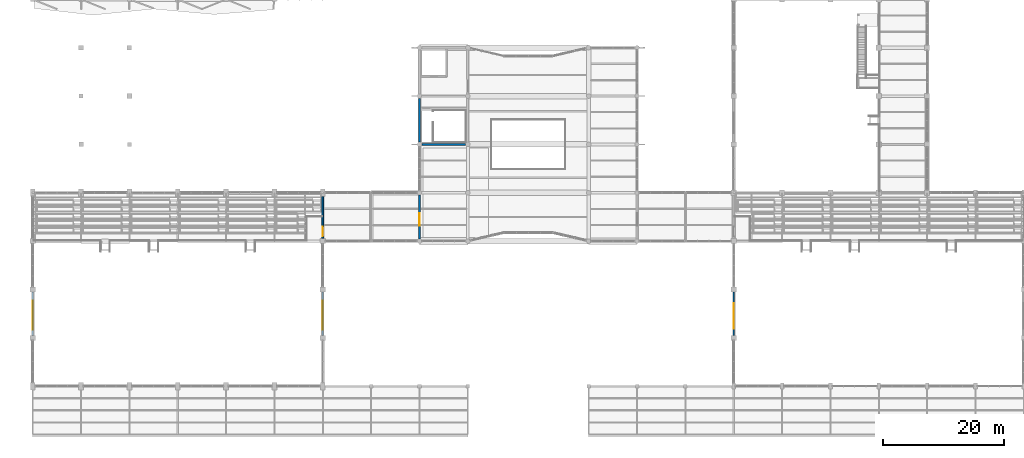
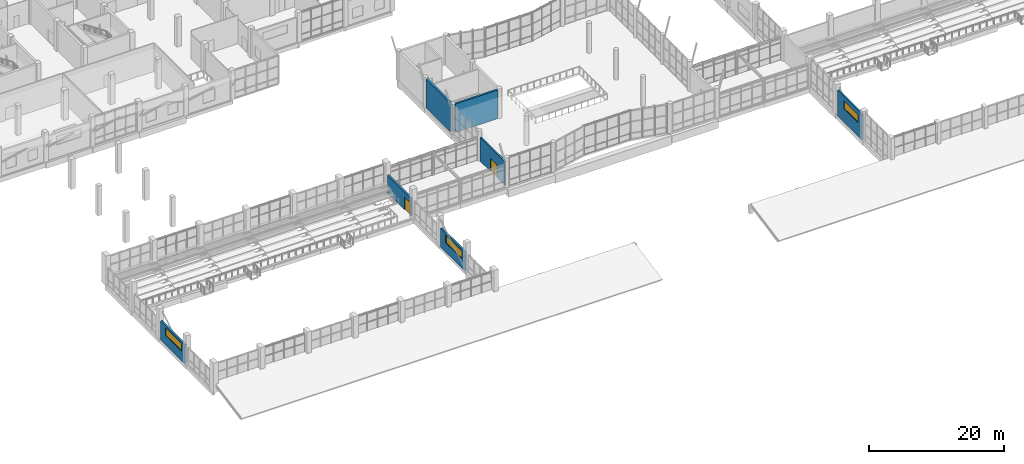
# One storey, part 104 of 122: 7 walls, 3 windows, 2 doors, 5 openings.
"""IFC4 building model written with IfcOpenShell, lengths in metres."""

from ifc_helpers import new_model, si_unit, direction, frame, frame_2d, origin, place, context, subcontext, project, spatial, rectangle, extrude, material, layer, layer_set, type_object, element, fill, save


model = new_model("IFC4")

# Units and contexts
model_context = context("Model", 3, precision=1e-05, world=origin(), true_north=direction((0.0, 1.0)))
body_context = subcontext(model_context, "Body", "Model", "MODEL_VIEW")
ifc_project = project(units=[si_unit("LENGTHUNIT", "METRE"), si_unit("AREAUNIT", "SQUARE_METRE"), si_unit("VOLUMEUNIT", "CUBIC_METRE"), si_unit("PLANEANGLEUNIT", "RADIAN"), si_unit("MASSUNIT", "GRAM", prefix="KILO")], contexts=[model_context])

# Site, building, storey
site_placement = place(None, origin())
site = spatial("IfcSite", under=ifc_project, at=site_placement, CompositionType="ELEMENT")
building_placement = place(site_placement, origin())
building = spatial("IfcBuilding", under=site, at=building_placement, Name="Tenunan Teduh Sports Hall", CompositionType="ELEMENT")
storey_placement = place(building_placement, frame((0.0, 0.0, 5.39990234375)))
storey = spatial("IfcBuildingStorey", under=building, at=storey_placement, Name="L01", CompositionType="ELEMENT", Elevation=5.39990234375)

# Wall, opening, door
ifc_material_1 = material(Name="Concrete C40/50", Category="concrete")
ifc_layer_1 = layer(ifc_material_1, 0.280029296875)
ifc_layer_set_1 = layer_set([ifc_layer_1], Name="Concrete C40/50")
wall_type_1 = type_object("IfcWallType", Name="WL-EXT-280", PredefinedType="SOLIDWALL", material=ifc_layer_set_1)
wall_1_placement = place(storey_placement, frame((54.0, 38.425048828125, 0.0), z_axis=(0.0, 0.0, 1.0), x_axis=(0.0, 1.0, 0.0)))
wall_1 = element("IfcWall", 1, at=wall_1_placement, inside=storey, type_object=wall_type_1, Name="WL-EXT-L01-102", PredefinedType="SOLIDWALL", context=body_context, shape_type="SweptSolid", body=[
    extrude(rectangle(XDim=6.974853515625, YDim=0.280029296875, at=frame_2d((3.4873046875, 0.0))), origin(), (0.0, 0.0, 1.0), 3.2001953125),
])
opening_1_placement = place(wall_1_placement, frame((0.35009765625, 0.0, 0.0)))
opening_1 = element("IfcOpeningElement", 2, at=opening_1_placement, cuts=wall_1, Name="Opening ED-06", PredefinedType="OPENING", context=body_context, shape_type="SweptSolid", body=[
    extrude(rectangle(XDim=1.60009765625, YDim=2.300048828125, at=frame_2d((0.800048828125, 1.14990234375))), frame((0.0, 0.14990234375, 0.0), z_axis=(0.0, -1.0, 0.0), x_axis=(1.0, 0.0, 0.0)), (0.0, 0.0, 1.0), 0.300048828125),
])
ifc_material_2 = material(Name="Powder-coated aluminium and laminated safety glass", Category="aluminium")
door_type_1 = type_object("IfcDoorType", Name="EDR-06", OperationType="DOUBLE_DOOR_SINGLE_SWING", PredefinedType="DOOR", material=ifc_material_2)
door_1_placement = place(opening_1_placement, frame((1.60009765625, 0.0, 0.0), z_axis=(0.0, 0.0, 1.0), x_axis=(-1.0, 0.0, 0.0)))
door_1 = element("IfcDoor", 3, at=door_1_placement, inside=storey, type_object=door_type_1, Name="DR-EXT-L01-020", OperationType="DOUBLE_DOOR_SINGLE_SWING", OverallHeight=2.300048828125, OverallWidth=1.60009765625, PredefinedType="DOOR", context=body_context, shape_type="SweptSolid", body=[
    extrude(rectangle(XDim=1.60009765625, YDim=2.300048828125, at=frame_2d((0.800048828125, 1.14990234375))), frame((0.0, 0.02490234375, 0.0), z_axis=(0.0, -1.0, 0.0), x_axis=(1.0, 0.0, 0.0)), (0.0, 0.0, 1.0), 0.050048828125),
])
fill(opening_1, door_1)

wall_2_placement = place(storey_placement, frame((70.0, 38.375, 0.0), z_axis=(0.0, 0.0, 1.0), x_axis=(0.0, 1.0, 0.0)))
wall_2 = element("IfcWall", 4, at=wall_2_placement, inside=storey, type_object=wall_type_1, Name="WL-EXT-L01-144", PredefinedType="SOLIDWALL", context=body_context, shape_type="SweptSolid", body=[
    extrude(rectangle(XDim=7.25, YDim=0.280029296875, at=frame_2d((3.625, 0.0))), origin(), (0.0, 0.0, 1.0), 4.300048828125),
])
opening_2_placement = place(wall_2_placement, frame((2.199951171875, 0.0, 0.0)))
opening_2 = element("IfcOpeningElement", 5, at=opening_2_placement, cuts=wall_2, Name="Opening ED-01", PredefinedType="OPENING", context=body_context, shape_type="SweptSolid", body=[
    extrude(rectangle(XDim=2.0, YDim=2.39990234375, at=frame_2d((1.0, 1.199951171875))), frame((0.0, 0.14990234375, 0.0), z_axis=(0.0, -1.0, 0.0), x_axis=(1.0, 0.0, 0.0)), (0.0, 0.0, 1.0), 0.300048828125),
])
ifc_material_3 = material(Name="Powder-coated aluminium and laminated safety glass", Category="aluminium")
door_type_2 = type_object("IfcDoorType", Name="EDR-01", OperationType="DOUBLE_DOOR_SINGLE_SWING", PredefinedType="DOOR", material=ifc_material_3)
door_2_placement = place(opening_2_placement, frame((2.0, 0.0, 0.0), z_axis=(0.0, 0.0, 1.0), x_axis=(-1.0, 0.0, 0.0)))
door_2 = element("IfcDoor", 6, at=door_2_placement, inside=storey, type_object=door_type_2, Name="DR-EXT-L01-033", OperationType="DOUBLE_DOOR_SINGLE_SWING", OverallHeight=2.39990234375, OverallWidth=2.0, PredefinedType="DOOR", context=body_context, shape_type="SweptSolid", body=[
    extrude(rectangle(XDim=2.0, YDim=2.39990234375, at=frame_2d((1.0, 1.199951171875))), frame((0.0, 0.02490234375, 0.0), z_axis=(0.0, -1.0, 0.0), x_axis=(1.0, 0.0, 0.0)), (0.0, 0.0, 1.0), 0.050048828125),
])
fill(opening_2, door_2)

# Wall, opening, window
ifc_material_4 = material(Name="Concrete C40/50", Category="concrete")
ifc_layer_2 = layer(ifc_material_4, 0.2900390625)
ifc_layer_set_2 = layer_set([ifc_layer_2], Name="Concrete C40/50")
wall_type_2 = type_object("IfcWallType", Name="WL-EXT-290", PredefinedType="SOLIDWALL", material=ifc_layer_set_2)
wall_3_placement = place(storey_placement, frame((122.0, 22.425048828125, -0.27001953125), z_axis=(0.0, 0.0, 1.0), x_axis=(0.0, 1.0, 0.0)))
wall_3 = element("IfcWall", 7, at=wall_3_placement, inside=storey, type_object=wall_type_2, Name="WL-EXT-L01-069", PredefinedType="SOLIDWALL", context=body_context, shape_type="SweptSolid", body=[
    extrude(rectangle(XDim=7.14990234375, YDim=0.2900390625, at=frame_2d((3.574951171875, 0.0))), origin(), (0.0, 0.0, 1.0), 4.66015625),
])
opening_3_placement = place(wall_3_placement, frame((1.10009765625, 0.0, 2.39990234375)))
opening_3 = element("IfcOpeningElement", 8, at=opening_3_placement, cuts=wall_3, Name="Opening W-06", PredefinedType="OPENING", context=body_context, shape_type="SweptSolid", body=[
    extrude(rectangle(XDim=4.199951171875, YDim=1.5, at=frame_2d((2.10009765625, 0.75))), frame((0.0, 0.155029296875, 0.0), z_axis=(0.0, -1.0, 0.0), x_axis=(1.0, 0.0, 0.0)), (0.0, 0.0, 1.0), 0.31005859375),
])
ifc_material_5 = material(Name="Thermally broken aluminium and Low-E glazing", Category="aluminium")
window_type_1 = type_object("IfcWindowType", Name="WIN-06", PartitioningType="TRIPLE_PANEL_HORIZONTAL", PredefinedType="WINDOW", material=ifc_material_5)
window_1_placement = place(opening_3_placement, origin())
window_1 = element("IfcWindow", 9, at=window_1_placement, inside=storey, type_object=window_type_1, Name="WIN-L01-004", OverallHeight=1.5, OverallWidth=4.199951171875, PartitioningType="SINGLE_PANEL", PredefinedType="WINDOW", context=body_context, shape_type="SweptSolid", body=[
    extrude(rectangle(XDim=4.199951171875, YDim=1.5, at=frame_2d((2.10009765625, 0.75))), frame((0.0, 0.030029296875, 0.0), z_axis=(0.0, -1.0, 0.0), x_axis=(1.0, 0.0, 0.0)), (0.0, 0.0, 1.0), 0.06005859375),
])
fill(opening_3, window_1)

ifc_material_6 = material(Name="Concrete C40/50", Category="concrete")
ifc_layer_3 = layer(ifc_material_6, 0.300048828125)
ifc_layer_set_3 = layer_set([ifc_layer_3], Name="Concrete C40/50")
wall_type_3 = type_object("IfcWallType", Name="WL-EXT-300", PredefinedType="SOLIDWALL", material=ifc_layer_set_3)
wall_4_placement = place(storey_placement, frame((6.0, 22.425048828125, -0.27001953125), z_axis=(0.0, 0.0, 1.0), x_axis=(0.0, 1.0, 0.0)))
wall_4 = element("IfcWall", 10, at=wall_4_placement, inside=storey, type_object=wall_type_3, Name="WL-EXT-L01-100", PredefinedType="SOLIDWALL", context=body_context, shape_type="SweptSolid", body=[
    extrude(rectangle(XDim=7.14990234375, YDim=0.300048828125, at=frame_2d((3.574951171875, 0.0))), origin(), (0.0, 0.0, 1.0), 3.47021484375),
])
opening_4_placement = place(wall_4_placement, frame((0.89990234375, 0.0, 1.719970703125)))
opening_4 = element("IfcOpeningElement", 11, at=opening_4_placement, cuts=wall_4, Name="Opening W-12", PredefinedType="OPENING", context=body_context, shape_type="SweptSolid", body=[
    extrude(rectangle(XDim=4.800048828125, YDim=1.39990234375, at=frame_2d((2.39990234375, 0.699951171875))), frame((0.0, 0.159912109375, 0.0), z_axis=(0.0, -1.0, 0.0), x_axis=(1.0, 0.0, 0.0)), (0.0, 0.0, 1.0), 0.320068359375),
])
ifc_material_7 = material(Name="Thermally broken aluminium and Low-E glazing", Category="aluminium")
window_type_2 = type_object("IfcWindowType", Name="WIN-12", PartitioningType="TRIPLE_PANEL_HORIZONTAL", PredefinedType="WINDOW", material=ifc_material_7)
window_2_placement = place(opening_4_placement, origin())
window_2 = element("IfcWindow", 12, at=window_2_placement, inside=storey, type_object=window_type_2, Name="WIN-L01-014", OverallHeight=1.39990234375, OverallWidth=4.800048828125, PartitioningType="SINGLE_PANEL", PredefinedType="WINDOW", context=body_context, shape_type="SweptSolid", body=[
    extrude(rectangle(XDim=4.800048828125, YDim=1.39990234375, at=frame_2d((2.39990234375, 0.699951171875))), frame((0.0, 0.030029296875, 0.0), z_axis=(0.0, -1.0, 0.0), x_axis=(1.0, 0.0, 0.0)), (0.0, 0.0, 1.0), 0.06005859375),
])
fill(opening_4, window_2)

wall_5_placement = place(storey_placement, frame((54.0, 22.425048828125, -0.27001953125), z_axis=(0.0, 0.0, 1.0), x_axis=(0.0, 1.0, 0.0)))
wall_5 = element("IfcWall", 13, at=wall_5_placement, inside=storey, type_object=wall_type_3, Name="WL-EXT-L01-101", PredefinedType="SOLIDWALL", context=body_context, shape_type="SweptSolid", body=[
    extrude(rectangle(XDim=7.14990234375, YDim=0.300048828125, at=frame_2d((3.574951171875, 0.0))), origin(), (0.0, 0.0, 1.0), 3.47021484375),
])
opening_5_placement = place(wall_5_placement, frame((0.89990234375, 0.0, 1.719970703125)))
opening_5 = element("IfcOpeningElement", 14, at=opening_5_placement, cuts=wall_5, Name="Opening W-12", PredefinedType="OPENING", context=body_context, shape_type="SweptSolid", body=[
    extrude(rectangle(XDim=4.800048828125, YDim=1.39990234375, at=frame_2d((2.39990234375, 0.699951171875))), frame((0.0, 0.159912109375, 0.0), z_axis=(0.0, -1.0, 0.0), x_axis=(1.0, 0.0, 0.0)), (0.0, 0.0, 1.0), 0.320068359375),
])
window_3_placement = place(opening_5_placement, origin())
window_3 = element("IfcWindow", 15, at=window_3_placement, inside=storey, type_object=window_type_2, Name="WIN-L01-015", OverallHeight=1.39990234375, OverallWidth=4.800048828125, PartitioningType="SINGLE_PANEL", PredefinedType="WINDOW", context=body_context, shape_type="SweptSolid", body=[
    extrude(rectangle(XDim=4.800048828125, YDim=1.39990234375, at=frame_2d((2.39990234375, 0.699951171875))), frame((0.0, 0.030029296875, 0.0), z_axis=(0.0, -1.0, 0.0), x_axis=(1.0, 0.0, 0.0)), (0.0, 0.0, 1.0), 0.06005859375),
])
fill(opening_5, window_3)

# Walls
ifc_material_8 = material(Name="Concrete C40/50", Category="concrete")
ifc_layer_4 = layer(ifc_material_8, 0.35009765625)
ifc_layer_set_4 = layer_set([ifc_layer_4], Name="Concrete C40/50")
wall_type_4 = type_object("IfcWallType", Name="WL-SHR-350", PredefinedType="SHEAR", material=ifc_layer_set_4)
for number, where, z_axis, x_axis, name in (
    (16, (70.375, 54.0, 0.0), (0.0, 0.0, 1.0), (1.0, 0.0, 0.0), "WL-COR-L01-236"),
    (17, (70.0, 54.375, 0.0), (0.0, 0.0, 1.0), (0.0, 1.0, 0.0), "WL-COR-L01-238"),
):
    element("IfcWall", number, at=place(storey_placement, frame(where, z_axis=z_axis, x_axis=x_axis)), inside=storey, type_object=wall_type_4, Name=name, PredefinedType="SHEAR", context=body_context, shape_type="SweptSolid", body=[
        extrude(rectangle(XDim=7.25, YDim=0.35009765625, at=frame_2d((3.625, 0.0))), origin(), (0.0, 0.0, 1.0), 5.18017578125),
    ])

save(model, "model.ifc")
